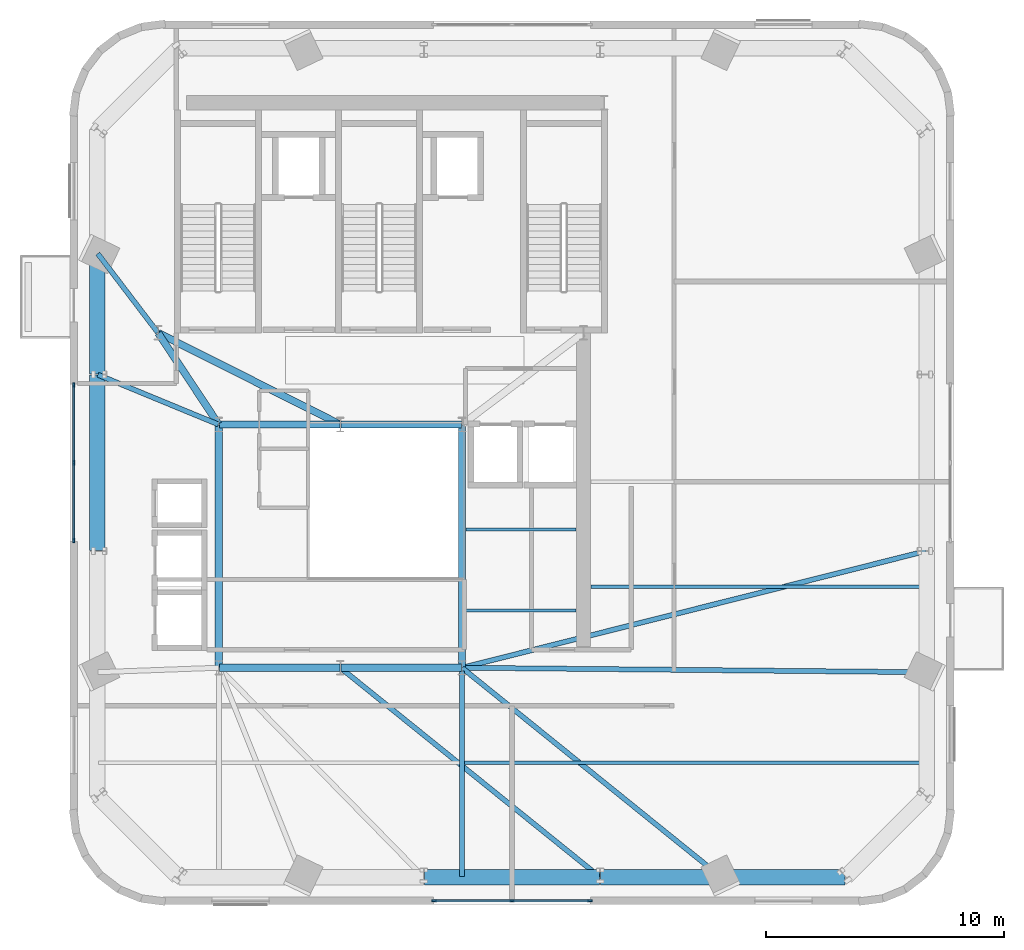
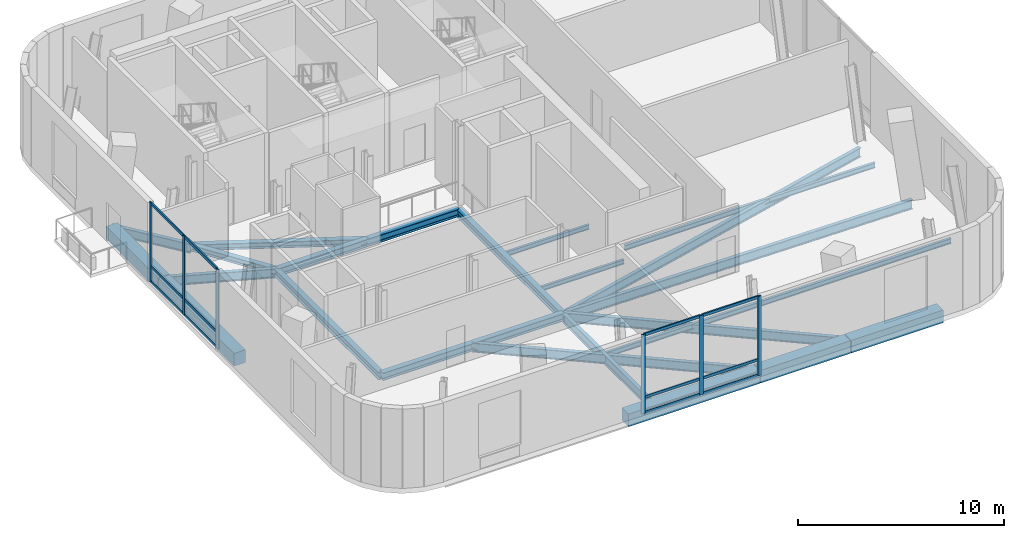
# One storey, part 2 of 10: 24 beams, 18 members, 2 elements without a shape of their own.
"""IFC4 building model written with IfcOpenShell, lengths in metres."""

import ifcopenshell
import ifcopenshell.guid

model = None  # the IFC model being written
_history = None  # IfcOwnerHistory: only IFC2X3 demands one
_inside = {}  # id of a spatial element -> (the spatial element, [elements in it])
_under = {}  # id of a project, library or spatial element -> (it, [spatial elements below it])
_declared = {}  # id of a project -> (the project, [libraries it declares])
_typed = {}  # id of a type object -> (the type object, [elements of that type])
_made_of = {}  # id of a material, layer set ... -> (it, [elements and type objects made of it])


def new_model(schema):
    """Start an empty IFC model of exactly this schema.

    Asked for "IFC4X3", IfcOpenShell would pick the latest addendum, in which some entities
    have other attributes; the version numbers below select the first issue.
    IFC2X3 requires an IfcOwnerHistory on every rooted entity: one is made here for all.
    """
    global model, _history
    if schema == "IFC4X3":
        model = ifcopenshell.file(schema_version=(4, 3, 0, 0))
    else:
        model = ifcopenshell.file(schema=schema)
    _inside.clear()
    _under.clear()
    _declared.clear()
    _typed.clear()
    _made_of.clear()
    _history = None
    if model.schema == "IFC2X3":
        org = make("IfcOrganization", Name="unknown")
        user = make(
            "IfcPersonAndOrganization",
            ThePerson=make("IfcPerson", FamilyName="unknown"),
            TheOrganization=org,
        )
        app = make(
            "IfcApplication",
            ApplicationDeveloper=org,
            Version="unknown",
            ApplicationFullName="unknown",
            ApplicationIdentifier="unknown",
        )
        _history = make(
            "IfcOwnerHistory",
            OwningUser=user,
            OwningApplication=app,
            ChangeAction="ADDED",
            CreationDate=0,
        )
    return model


def make(cls, **values):
    """One entity of the class cls with the attributes given. An attribute that is None is left unset."""
    return model.create_entity(
        cls, **{name: value for name, value in values.items() if value is not None}
    )


def rooted(cls, **values):
    """An entity with a GlobalId (a new one), such as an element, a storey or a relation."""
    return make(cls, GlobalId=ifcopenshell.guid.new(), OwnerHistory=_history, **values)


def si_unit(unit_type, name, prefix=None):
    """IfcSIUnit, for example si_unit("LENGTHUNIT", "METRE", prefix="MILLI")."""
    return make("IfcSIUnit", UnitType=unit_type, Prefix=prefix, Name=name)


def assignment(units):
    """IfcUnitAssignment: the units of a project."""
    return None if units is None else make("IfcUnitAssignment", Units=units)


def point(xyz):
    """IfcCartesianPoint."""
    return None if xyz is None else make("IfcCartesianPoint", Coordinates=xyz)


def direction(xyz):
    """IfcDirection."""
    return None if xyz is None else make("IfcDirection", DirectionRatios=xyz)


def frame(location, z_axis=None, x_axis=None):
    """IfcAxis2Placement3D, a coordinate frame: its origin and axes. An axis left out is left unset."""
    return make(
        "IfcAxis2Placement3D",
        Location=point(location),
        Axis=direction(z_axis),
        RefDirection=direction(x_axis),
    )


def frame_2d(location, x_axis=None):
    """IfcAxis2Placement2D, a coordinate frame in the plane: its origin and x axis."""
    return make(
        "IfcAxis2Placement2D", Location=point(location), RefDirection=direction(x_axis)
    )


def origin():
    """The frame at (0, 0, 0) with its axes left unset."""
    return frame((0.0, 0.0, 0.0))


def origin_2d():
    """The frame at (0, 0) in the plane with its x axis left unset."""
    return frame_2d((0.0, 0.0))


def place(relative_to, where):
    """IfcLocalPlacement: puts the frame where relative to a parent placement (None: the world)."""
    return make(
        "IfcLocalPlacement", PlacementRelTo=relative_to, RelativePlacement=where
    )


def context(
    kind, dimensions, precision=None, world=None, true_north=None, identifier=None
):
    """IfcGeometricRepresentationContext, for example the 3D "Model" context."""
    return make(
        "IfcGeometricRepresentationContext",
        ContextIdentifier=identifier,
        ContextType=kind,
        CoordinateSpaceDimension=dimensions,
        Precision=precision,
        WorldCoordinateSystem=world,
        TrueNorth=true_north,
    )


def subcontext(parent, identifier, kind, view, scale=None):
    """IfcGeometricRepresentationSubContext, for example "Body" below "Model"."""
    return make(
        "IfcGeometricRepresentationSubContext",
        ContextIdentifier=identifier,
        ContextType=kind,
        ParentContext=parent,
        TargetScale=scale,
        TargetView=view,
    )


def project(units=None, contexts=None):
    """IfcProject with its units and contexts."""
    return rooted(
        "IfcProject",
        Name="project",
        RepresentationContexts=contexts,
        UnitsInContext=assignment(units),
    )


def spatial(cls, under=None, at=None, **own):
    """A site, building, storey or space (cls), placed at a placement, below another one or the project."""
    s = rooted(cls, ObjectPlacement=at, **own)
    if under is not None:
        _under.setdefault(under.id(), (under, []))[1].append(s)
    return s


def profile(cls, at=None, kind="AREA", **sizes):
    """A parametric profile (cls). Its sizes go by their IFC names, for example OverallWidth=200.0."""
    return make(cls, ProfileType=kind, Position=at, **sizes)


def rectangle(**sizes):
    """IfcRectangleProfileDef."""
    return profile("IfcRectangleProfileDef", **sizes)


def i_section(**sizes):
    """IfcIShapeProfileDef."""
    return profile("IfcIShapeProfileDef", **sizes)


def extrude(swept, where, along, depth):
    """IfcExtrudedAreaSolid: the profile swept, set in the frame where, extruded along a direction by depth."""
    return make(
        "IfcExtrudedAreaSolid",
        SweptArea=swept,
        Position=where,
        ExtrudedDirection=direction(along),
        Depth=depth,
    )


def shape(context_of_items, identifier, shape_type, items):
    """IfcShapeRepresentation: the items that make up one representation, for example the "Body"."""
    return make(
        "IfcShapeRepresentation",
        ContextOfItems=context_of_items,
        RepresentationIdentifier=identifier,
        RepresentationType=shape_type,
        Items=items,
    )


def source(mapping_origin, context_of_items, identifier, shape_type, items):
    """IfcRepresentationMap: a shape defined once, which mapped items show again and again."""
    return make(
        "IfcRepresentationMap",
        MappingOrigin=mapping_origin,
        MappedRepresentation=shape(context_of_items, identifier, shape_type, items),
    )


def transform(
    local_origin,
    x_axis=None,
    y_axis=None,
    z_axis=None,
    scale=None,
    scale2=None,
    scale3=None,
    uniform=True,
):
    """IfcCartesianTransformationOperator3D, or its non-uniform kind. x_axis, y_axis, z_axis: its Axis1, 2, 3."""
    if uniform:
        return make(
            "IfcCartesianTransformationOperator3D",
            Axis1=direction(x_axis),
            Axis2=direction(y_axis),
            LocalOrigin=point(local_origin),
            Scale=scale,
            Axis3=direction(z_axis),
        )
    return make(
        "IfcCartesianTransformationOperator3DnonUniform",
        Axis1=direction(x_axis),
        Axis2=direction(y_axis),
        LocalOrigin=point(local_origin),
        Scale=scale,
        Axis3=direction(z_axis),
        Scale2=scale2,
        Scale3=scale3,
    )


def mapped(mapping_source, mapping_target):
    """IfcMappedItem: shows the shape of a source again, moved by a transform."""
    return make(
        "IfcMappedItem", MappingSource=mapping_source, MappingTarget=mapping_target
    )


def material(Name=None, Category=None):
    """IfcMaterial."""
    return make("IfcMaterial", Name=Name, Category=Category)


def material_profile(
    of_material, cross_section, Name=None, Category=None, Priority=None
):
    """IfcMaterialProfile: a cross section and its material."""
    return make(
        "IfcMaterialProfile",
        Name=Name,
        Material=of_material,
        Profile=cross_section,
        Priority=Priority,
        Category=Category,
    )


def profile_set(profiles, Name=None, composite=None):
    """IfcMaterialProfileSet."""
    return make(
        "IfcMaterialProfileSet",
        Name=Name,
        MaterialProfiles=profiles,
        CompositeProfile=composite,
    )


def made_of(thing, what):
    """Note that an element or type object is made of a material, layer set ...; save() writes the relation."""
    if what is not None:
        _made_of.setdefault(what.id(), (what, []))[1].append(thing)
    return thing


def type_object(cls, material=None, **own):
    """A type object (cls), such as IfcWallType, which elements share."""
    return made_of(rooted(cls, **own), material)


def element(
    cls,
    number,
    at=None,
    inside=None,
    cuts=None,
    type_object=None,
    material=None,
    context=None,
    identifier="Body",
    shape_type=None,
    held_by="IfcProductDefinitionShape",
    body=None,
    shapes=None,
    **own,
):
    """One element of the class cls, such as IfcWall. Its Tag is "e" and its number.

    at: its placement. inside: the storey or other place that contains it. cuts: it is an
    opening in that element (IfcRelVoidsElement). A single representation is given by context,
    identifier, shape_type and body (its items); several are given by shapes. held_by: the class
    of the entity that holds the representations. save() writes the other relations.
    """
    e = rooted(cls, Tag="e%d" % number, ObjectPlacement=at, **own)
    if body is not None:
        shapes = [shape(context, identifier, shape_type, body)]
    if shapes is not None:
        e.Representation = make(held_by, Representations=shapes)
    if inside is not None:
        _inside.setdefault(inside.id(), (inside, []))[1].append(e)
    if cuts is not None:
        rooted(
            "IfcRelVoidsElement", RelatingBuildingElement=cuts, RelatedOpeningElement=e
        )
    if type_object is not None:
        _typed.setdefault(type_object.id(), (type_object, []))[1].append(e)
    return made_of(e, material)


def aggregate(whole, parts):
    """IfcRelAggregates: a whole, such as a stair, and the parts it consists of."""
    return rooted("IfcRelAggregates", RelatingObject=whole, RelatedObjects=parts)


def save(model, path):
    """Write the relations noted so far, then the file.

    IfcRelAggregates (storeys below a building ...), IfcRelContainedInSpatialStructure (elements
    in a storey), IfcRelDefinesByType, IfcRelAssociatesMaterial and IfcRelDeclares: one each for
    every whole, place, type object, material and project.
    """
    for whole, parts in _under.values():
        aggregate(whole, parts)
    for where, things in _inside.values():
        rooted(
            "IfcRelContainedInSpatialStructure",
            RelatedElements=things,
            RelatingStructure=where,
        )
    for kind, things in _typed.values():
        rooted("IfcRelDefinesByType", RelatedObjects=things, RelatingType=kind)
    for what, things in _made_of.values():
        rooted("IfcRelAssociatesMaterial", RelatedObjects=things, RelatingMaterial=what)
    for by, libraries in _declared.values():
        rooted("IfcRelDeclares", RelatingContext=by, RelatedDefinitions=libraries)
    model.write(path)


model = new_model("IFC4")

# Units and contexts
model_context = context("Model", 3, precision=1e-05, world=origin(), true_north=direction((0.0, 1.0)))
body_context = subcontext(model_context, "Body", "Model", "MODEL_VIEW")
ifc_project = project(units=[si_unit("LENGTHUNIT", "METRE"), si_unit("AREAUNIT", "SQUARE_METRE"), si_unit("VOLUMEUNIT", "CUBIC_METRE"), si_unit("PLANEANGLEUNIT", "RADIAN"), si_unit("MASSUNIT", "GRAM", prefix="KILO")], contexts=[model_context])

# Site, building, storey
site_placement = place(None, origin())
site = spatial("IfcSite", under=ifc_project, at=site_placement, CompositionType="ELEMENT")
building_placement = place(site_placement, origin())
building = spatial("IfcBuilding", under=site, at=building_placement, Name="Vardaveli Station Tower", CompositionType="ELEMENT")
storey_placement = place(building_placement, frame((0.0, 0.0, 291.14990234375)))
storey = spatial("IfcBuildingStorey", under=building, at=storey_placement, Name="L74", CompositionType="ELEMENT", Elevation=291.14990234375)

# Beams
ifc_material_1 = material(Name="Structural steel S355J2", Category="steel")
ifc_material_profile_1 = material_profile(ifc_material_1, i_section(OverallWidth=0.300048828125, OverallDepth=0.449951171875, WebThickness=0.013916015625, FlangeThickness=0.02587890625, FilletRadius=0.027099609375, at=origin_2d()), Name="HEB 450")
ifc_profile_set_1 = profile_set([ifc_material_profile_1], Name="Structural steel S355J2")
beam_type_1 = type_object("IfcBeamType", Name="BM-HEB450", PredefinedType="BEAM", material=ifc_profile_set_1)
shared_shape_1 = source(origin(), body_context, "Body", "SweptSolid", [
    extrude(i_section(OverallWidth=0.300048828125, OverallDepth=0.449951171875, WebThickness=0.013916015625, FlangeThickness=0.02587890625, FilletRadius=0.027099609375, at=origin_2d()), origin(), (0.0, 0.0, 1.0), 5.06005859375),
])
for number, where, z_axis, x_axis, name in (
    (1, (31.219970703125, 16.60009765625, -0.52490234375), (1.0, 0.0, 0.0), (0.0, 1.0, 0.0), "ABM-L74-01"),
    (2, (36.280029296875, 26.800048828125, -0.52490234375), (-1.0, 0.0, 0.0), (0.0, -1.0, 0.0), "ABM-L74-05"),
):
    element("IfcBeam", number, at=place(storey_placement, frame(where, z_axis=z_axis, x_axis=x_axis)), inside=storey, type_object=beam_type_1, Name=name, PredefinedType="BEAM", context=body_context, shape_type="MappedRepresentation", body=[
        mapped(shared_shape_1, transform((0.0, 0.0, 0.0), scale=1.0)),
    ])
shared_shape_2 = source(origin(), body_context, "Body", "SweptSolid", [
    extrude(i_section(OverallWidth=0.300048828125, OverallDepth=0.449951171875, WebThickness=0.013916015625, FlangeThickness=0.02587890625, FilletRadius=0.027099609375, at=origin_2d()), origin(), (0.0, 0.0, 1.0), 5.059814453125),
])
for number, where, z_axis, x_axis, name in (
    (3, (36.320068359375, 16.60009765625, -0.52490234375), (1.0, 0.0, 0.0), (0.0, 1.0, 0.0), "ABM-L74-02"),
    (4, (41.3798828125, 26.800048828125, -0.52490234375), (-1.0, 0.0, 0.0), (0.0, -1.0, 0.0), "ABM-L74-04"),
):
    element("IfcBeam", number, at=place(storey_placement, frame(where, z_axis=z_axis, x_axis=x_axis)), inside=storey, type_object=beam_type_1, Name=name, PredefinedType="BEAM", context=body_context, shape_type="MappedRepresentation", body=[
        mapped(shared_shape_2, transform((0.0, 0.0, 0.0), scale=1.0)),
    ])
shared_shape_3 = source(origin(), body_context, "Body", "SweptSolid", [
    extrude(i_section(OverallWidth=0.300048828125, OverallDepth=0.449951171875, WebThickness=0.013916015625, FlangeThickness=0.02587890625, FilletRadius=0.027099609375, at=origin_2d()), origin(), (0.0, 0.0, 1.0), 10.159912109375),
])
for number, where, z_axis, x_axis, name in (
    (5, (41.39990234375, 16.6201171875, -0.52490234375), (0.0, 1.0, 0.0), (-1.0, 0.0, 0.0), "ABM-L74-03"),
    (6, (31.199951171875, 26.780029296875, -0.52490234375), (0.0, -1.0, 0.0), (1.0, 0.0, 0.0), "ABM-L74-06"),
):
    element("IfcBeam", number, at=place(storey_placement, frame(where, z_axis=z_axis, x_axis=x_axis)), inside=storey, type_object=beam_type_1, Name=name, PredefinedType="BEAM", context=body_context, shape_type="MappedRepresentation", body=[
        mapped(shared_shape_3, transform((0.0, 0.0, 0.0), scale=1.0)),
    ])
ifc_material_profile_2 = material_profile(ifc_material_1, i_section(OverallWidth=0.300048828125, OverallDepth=0.360107421875, WebThickness=0.012451171875, FlangeThickness=0.0224609375, FilletRadius=0.027099609375, at=origin_2d()), Name="HEB 360")
ifc_profile_set_2 = profile_set([ifc_material_profile_2], Name="Structural steel S355J2")
beam_type_2 = type_object("IfcBeamType", Name="BM-HEB360", PredefinedType="BEAM", material=ifc_profile_set_2)
shared_shape_4 = source(origin(), body_context, "Body", "SweptSolid", [
    extrude(i_section(OverallWidth=0.300048828125, OverallDepth=0.360107421875, WebThickness=0.012451171875, FlangeThickness=0.0224609375, FilletRadius=0.027099609375, at=origin_2d()), origin(), (0.0, 0.0, 1.0), 4.577880859375),
])
beam_1_placement = place(storey_placement, frame((31.18896484375, 26.816650390625, -0.47998046875), z_axis=(-0.55218702139, 0.833720272879, 0.0), x_axis=(-0.833720272879, -0.55218702139, 0.0)))
element("IfcBeam", 7, at=beam_1_placement, inside=storey, type_object=beam_type_2, Name="CBM-L74-01", PredefinedType="BEAM", context=body_context, shape_type="MappedRepresentation", body=[
    mapped(shared_shape_4, transform((0.0, 0.0, 0.0), scale=1.0)),
])
shared_shape_5 = source(origin(), body_context, "Body", "SweptSolid", [
    extrude(i_section(OverallWidth=0.300048828125, OverallDepth=0.360107421875, WebThickness=0.012451171875, FlangeThickness=0.0224609375, FilletRadius=0.027099609375, at=origin_2d()), origin(), (0.0, 0.0, 1.0), 8.524169921875),
])
beam_2_placement = place(storey_placement, frame((28.66796875, 30.64111328125, -0.47998046875), z_axis=(0.893255584708, -0.449549174605, 0.0), x_axis=(0.449549174605, 0.893255584708, 0.0)))
element("IfcBeam", 8, at=beam_2_placement, inside=storey, type_object=beam_type_2, Name="CBM-L74-03", PredefinedType="BEAM", context=body_context, shape_type="MappedRepresentation", body=[
    mapped(shared_shape_5, transform((0.0, 0.0, 0.0), scale=1.0)),
])
ifc_material_2 = material(Name="Precast concrete C45/55", Category="concrete")
ifc_material_profile_3 = material_profile(ifc_material_2, rectangle(XDim=0.64990234375, YDim=0.75, at=origin_2d()), Name="LPB 650x750")
ifc_profile_set_3 = profile_set([ifc_material_profile_3], Name="Precast concrete C45/55")
beam_type_3 = type_object("IfcBeamType", Name="BM-LPB-750", PredefinedType="BEAM", material=ifc_profile_set_3)
shared_shape_6 = source(origin(), body_context, "Body", "SweptSolid", [
    extrude(rectangle(XDim=0.64990234375, YDim=0.75, at=origin_2d()), origin(), (0.0, 0.0, 1.0), 7.35986328125),
])
for number, where, z_axis, x_axis, name in (
    (9, (39.820068359375, 7.81005859375, -0.6748046875), (1.0, 0.0, 0.0), (0.0, 1.0, 0.0), "RBM-L74-02"),
    (10, (26.110107421875, 28.8798828125, -0.6748046875), (0.0, -1.0, 0.0), (1.0, 0.0, 0.0), "RBM-L74-20"),
):
    element("IfcBeam", number, at=place(storey_placement, frame(where, z_axis=z_axis, x_axis=x_axis)), inside=storey, type_object=beam_type_3, Name=name, PredefinedType="BEAM", context=body_context, shape_type="MappedRepresentation", body=[
        mapped(shared_shape_6, transform((0.0, 0.0, 0.0), scale=1.0)),
    ])
shared_shape_7 = source(origin(), body_context, "Body", "SweptSolid", [
    extrude(rectangle(XDim=0.64990234375, YDim=0.75, at=origin_2d()), origin(), (0.0, 0.0, 1.0), 5.04833984375),
])
for number, where, z_axis, x_axis, name in (
    (11, (47.219970703125, 7.81005859375, -0.6748046875), (1.0, 0.0, 0.0), (0.0, 1.0, 0.0), "RBM-L74-03"),
    (12, (26.110107421875, 33.96826171875, -0.6748046875), (0.0, -1.0, 0.0), (1.0, 0.0, 0.0), "RBM-L74-19"),
):
    element("IfcBeam", number, at=place(storey_placement, frame(where, z_axis=z_axis, x_axis=x_axis)), inside=storey, type_object=beam_type_3, Name=name, PredefinedType="BEAM", context=body_context, shape_type="MappedRepresentation", body=[
        mapped(shared_shape_7, transform((0.0, 0.0, 0.0), scale=1.0)),
    ])
shared_shape_8 = source(origin(), body_context, "Body", "SweptSolid", [
    extrude(rectangle(XDim=0.64990234375, YDim=0.75, at=origin_2d()), origin(), (0.0, 0.0, 1.0), 5.1689453125),
])
beam_3_placement = place(storey_placement, frame((52.30810546875, 7.81005859375, -0.6748046875), z_axis=(1.0, 0.0, 0.0), x_axis=(0.0, 1.0, 0.0)))
element("IfcBeam", 13, at=beam_3_placement, inside=storey, type_object=beam_type_3, Name="RBM-L74-04", PredefinedType="BEAM", context=body_context, shape_type="MappedRepresentation", body=[
    mapped(shared_shape_8, transform((0.0, 0.0, 0.0), scale=1.0)),
])
ifc_material_profile_4 = material_profile(ifc_material_1, i_section(OverallWidth=0.2099609375, OverallDepth=0.550048828125, WebThickness=0.010986328125, FlangeThickness=0.01708984375, FilletRadius=0.02392578125, at=origin_2d()), Name="IPE 550")
ifc_profile_set_4 = profile_set([ifc_material_profile_4], Name="Structural steel S355J2")
beam_type_4 = type_object("IfcBeamType", Name="BM-IPE550", PredefinedType="BEAM", material=ifc_profile_set_4)
shared_shape_9 = source(origin(), body_context, "Body", "SweptSolid", [
    extrude(i_section(OverallWidth=0.2099609375, OverallDepth=0.550048828125, WebThickness=0.010986328125, FlangeThickness=0.01708984375, FilletRadius=0.02392578125, at=origin_2d()), origin(), (0.0, 0.0, 1.0), 13.96240234375),
])
beam_4_placement = place(storey_placement, frame((47.184326171875, 7.822509765625, -0.574951171875), z_axis=(-0.77841827627, 0.627745957509, 0.0), x_axis=(-0.627745957509, -0.77841827627, 0.0)))
element("IfcBeam", 14, at=beam_4_placement, inside=storey, type_object=beam_type_4, Name="GBM-L74-03", PredefinedType="BEAM", context=body_context, shape_type="MappedRepresentation", body=[
    mapped(shared_shape_9, transform((0.0, 0.0, 0.0), scale=1.0)),
])
shared_shape_10 = source(origin(), body_context, "Body", "SweptSolid", [
    extrude(i_section(OverallWidth=0.2099609375, OverallDepth=0.550048828125, WebThickness=0.010986328125, FlangeThickness=0.01708984375, FilletRadius=0.02392578125, at=origin_2d()), origin(), (0.0, 0.0, 1.0), 13.95361328125),
])
beam_5_placement = place(storey_placement, frame((52.272705078125, 7.822509765625, -0.574951171875), z_axis=(-0.778094115898, 0.628147710977, 0.0), x_axis=(-0.628147710977, -0.778094115898, 0.0)))
element("IfcBeam", 15, at=beam_5_placement, inside=storey, type_object=beam_type_4, Name="GBM-L74-04", PredefinedType="BEAM", context=body_context, shape_type="MappedRepresentation", body=[
    mapped(shared_shape_10, transform((0.0, 0.0, 0.0), scale=1.0)),
])
shared_shape_11 = source(origin(), body_context, "Body", "SweptSolid", [
    extrude(i_section(OverallWidth=0.2099609375, OverallDepth=0.550048828125, WebThickness=0.010986328125, FlangeThickness=0.01708984375, FilletRadius=0.02392578125, at=origin_2d()), origin(), (0.0, 0.0, 1.0), 19.451171875),
])
beam_6_placement = place(storey_placement, frame((60.8701171875, 16.412109375, -0.574951171875), z_axis=(-0.999953417316, 0.009652108474, 0.0), x_axis=(-0.009652108474, -0.999953417316, 0.0)))
element("IfcBeam", 16, at=beam_6_placement, inside=storey, type_object=beam_type_4, Name="GBM-L74-05", PredefinedType="BEAM", context=body_context, shape_type="MappedRepresentation", body=[
    mapped(shared_shape_11, transform((0.0, 0.0, 0.0), scale=1.0)),
])
shared_shape_12 = source(origin(), body_context, "Body", "SweptSolid", [
    extrude(i_section(OverallWidth=0.2099609375, OverallDepth=0.550048828125, WebThickness=0.010986328125, FlangeThickness=0.01708984375, FilletRadius=0.02392578125, at=origin_2d()), origin(), (0.0, 0.0, 1.0), 20.056396484375),
])
beam_7_placement = place(storey_placement, frame((60.87060546875, 21.4951171875, -0.574951171875), z_axis=(-0.969820865958, -0.243818555391, 0.0), x_axis=(0.243818555391, -0.969820865958, 0.0)))
element("IfcBeam", 17, at=beam_7_placement, inside=storey, type_object=beam_type_4, Name="GBM-L74-06", PredefinedType="BEAM", context=body_context, shape_type="MappedRepresentation", body=[
    mapped(shared_shape_12, transform((0.0, 0.0, 0.0), scale=1.0)),
])
shared_shape_13 = source(origin(), body_context, "Body", "SweptSolid", [
    extrude(i_section(OverallWidth=0.2099609375, OverallDepth=0.550048828125, WebThickness=0.010986328125, FlangeThickness=0.01708984375, FilletRadius=0.02392578125, at=origin_2d()), origin(), (0.0, 0.0, 1.0), 5.466064453125),
])
beam_8_placement = place(storey_placement, frame((26.12841796875, 28.892333984375, -0.574951171875), z_axis=(0.924415178823, -0.381387699279, 0.0), x_axis=(0.381387699279, 0.924415178823, 0.0)))
element("IfcBeam", 18, at=beam_8_placement, inside=storey, type_object=beam_type_4, Name="GBM-L74-08", PredefinedType="BEAM", context=body_context, shape_type="MappedRepresentation", body=[
    mapped(shared_shape_13, transform((0.0, 0.0, 0.0), scale=1.0)),
])
shared_shape_14 = source(origin(), body_context, "Body", "SweptSolid", [
    extrude(i_section(OverallWidth=0.2099609375, OverallDepth=0.550048828125, WebThickness=0.010986328125, FlangeThickness=0.01708984375, FilletRadius=0.02392578125, at=origin_2d()), origin(), (0.0, 0.0, 1.0), 4.154541015625),
])
beam_9_placement = place(storey_placement, frame((26.1220703125, 33.97216796875, -0.574951171875), z_axis=(0.605570376885, -0.795791755825, 0.0), x_axis=(0.795791755825, 0.605570376885, 0.0)))
element("IfcBeam", 19, at=beam_9_placement, inside=storey, type_object=beam_type_4, Name="GBM-L74-12", PredefinedType="BEAM", context=body_context, shape_type="MappedRepresentation", body=[
    mapped(shared_shape_14, transform((0.0, 0.0, 0.0), scale=1.0)),
])
shared_shape_15 = source(origin(), body_context, "Body", "SweptSolid", [
    extrude(i_section(OverallWidth=0.2099609375, OverallDepth=0.550048828125, WebThickness=0.010986328125, FlangeThickness=0.01708984375, FilletRadius=0.02392578125, at=origin_2d()), origin(), (0.0, 0.0, 1.0), 8.60986328125),
])
beam_10_placement = place(storey_placement, frame((41.39990234375, 7.85009765625, -0.574951171875), z_axis=(0.0, 1.0, 0.0), x_axis=(-1.0, 0.0, 0.0)))
element("IfcBeam", 20, at=beam_10_placement, inside=storey, type_object=beam_type_4, Name="NSM-L74-S2", PredefinedType="BEAM", context=body_context, shape_type="MappedRepresentation", body=[
    mapped(shared_shape_15, transform((0.0, 0.0, 0.0), scale=1.0)),
])
ifc_material_profile_5 = material_profile(ifc_material_1, i_section(OverallWidth=0.14990234375, OverallDepth=0.300048828125, WebThickness=0.007080078125, FlangeThickness=0.0107421875, FilletRadius=0.014892578125, at=origin_2d()), Name="IPE 300")
ifc_profile_set_5 = profile_set([ifc_material_profile_5], Name="Structural steel S355J2")
beam_type_5 = type_object("IfcBeamType", Name="BM-IPE300", PredefinedType="JOIST", material=ifc_profile_set_5)
shared_shape_16 = source(origin(), body_context, "Body", "SweptSolid", [
    extrude(i_section(OverallWidth=0.14990234375, OverallDepth=0.300048828125, WebThickness=0.007080078125, FlangeThickness=0.0107421875, FilletRadius=0.014892578125, at=origin_2d()), origin(), (0.0, 0.0, 1.0), 19.338134765625),
])
beam_11_placement = place(storey_placement, frame((41.511962890625, 12.610107421875, -0.449951171875), z_axis=(1.0, 0.0, 0.0), x_axis=(0.0, 1.0, 0.0)))
element("IfcBeam", 21, at=beam_11_placement, inside=storey, type_object=beam_type_5, Name="SJ-L74-S03", PredefinedType="JOIST", context=body_context, shape_type="MappedRepresentation", body=[
    mapped(shared_shape_16, transform((0.0, 0.0, 0.0), scale=1.0)),
])
shared_shape_17 = source(origin(), body_context, "Body", "SweptSolid", [
    extrude(i_section(OverallWidth=0.14990234375, OverallDepth=0.300048828125, WebThickness=0.007080078125, FlangeThickness=0.0107421875, FilletRadius=0.014892578125, at=origin_2d()), origin(), (0.0, 0.0, 1.0), 14.045166015625),
])
beam_12_placement = place(storey_placement, frame((46.804931640625, 20.0, -0.449951171875), z_axis=(1.0, 0.0, 0.0), x_axis=(0.0, 1.0, 0.0)))
element("IfcBeam", 22, at=beam_12_placement, inside=storey, type_object=beam_type_5, Name="SJ-L74-E06", PredefinedType="JOIST", context=body_context, shape_type="MappedRepresentation", body=[
    mapped(shared_shape_17, transform((0.0, 0.0, 0.0), scale=1.0)),
])
ifc_material_profile_6 = material_profile(ifc_material_1, i_section(OverallWidth=0.135009765625, OverallDepth=0.27001953125, WebThickness=0.006591796875, FlangeThickness=0.01025390625, FilletRadius=0.014892578125, at=origin_2d()), Name="IPE 270")
ifc_profile_set_6 = profile_set([ifc_material_profile_6], Name="Structural steel S355J2")
beam_type_6 = type_object("IfcBeamType", Name="BM-IPE270", PredefinedType="BEAM", material=ifc_profile_set_6)
shared_shape_18 = source(origin(), body_context, "Body", "SweptSolid", [
    extrude(i_section(OverallWidth=0.135009765625, OverallDepth=0.27001953125, WebThickness=0.006591796875, FlangeThickness=0.01025390625, FilletRadius=0.014892578125, at=origin_2d()), origin(), (0.0, 0.0, 1.0), 4.630126953125),
])
for number, where, z_axis, x_axis, name in (
    (23, (41.56494140625, 19.0, -0.434814453125), (1.0, 0.0, 0.0), (0.0, 1.0, 0.0), "TJ-L74-01"),
    (24, (41.56494140625, 22.39990234375, -0.434814453125), (1.0, 0.0, 0.0), (0.0, 1.0, 0.0), "TJ-L74-02"),
):
    element("IfcBeam", number, at=place(storey_placement, frame(where, z_axis=z_axis, x_axis=x_axis)), inside=storey, type_object=beam_type_6, Name=name, PredefinedType="BEAM", context=body_context, shape_type="MappedRepresentation", body=[
        mapped(shared_shape_18, transform((0.0, 0.0, 0.0), scale=1.0)),
    ])

# Curtain wall, members
ifc_material_3 = material(Name="Travertine stone and solar-control glass", Category="masonry")
curtain_wall_type = type_object("IfcCurtainWallType", Name="CW-SYS-5", PredefinedType="NOTDEFINED", material=ifc_material_3)
curtain_wall_1_placement = place(storey_placement, origin())
curtain_wall_1 = element("IfcCurtainWall", 25, at=curtain_wall_1_placement, inside=storey, type_object=curtain_wall_type, Name="CW-L74-S", PredefinedType="NOTDEFINED")
ifc_material_4 = material(Name="Anodised aluminium alloy 6063-T6", Category="aluminium")
ifc_material_profile_7 = material_profile(ifc_material_4, rectangle(XDim=0.080078125, YDim=0.1650390625, at=origin_2d()), Name="CWT 80x165")
ifc_profile_set_7 = profile_set([ifc_material_profile_7], Name="Anodised aluminium alloy 6063-T6")
member_type_1 = type_object("IfcMemberType", Name="CW-SYS-5-TRAN", PredefinedType="NOTDEFINED", material=ifc_profile_set_7)
shared_shape_19 = source(origin(), body_context, "Body", "SweptSolid", [
    extrude(rectangle(XDim=0.080078125, YDim=0.1650390625, at=origin_2d()), origin(), (0.0, 0.0, 1.0), 3.179931640625),
])
member_1_placement = place(storey_placement, frame((40.280029296875, 6.820068359375, 0.0400390625), z_axis=(1.0, 0.0, 0.0), x_axis=(0.0, 1.0, 0.0)))
member_1 = element("IfcMember", 26, at=member_1_placement, type_object=member_type_1, Name="CW-5 transom 1.1", ObjectType="TRANSOM", PredefinedType="USERDEFINED", context=body_context, shape_type="MappedRepresentation", body=[
    mapped(shared_shape_19, transform((0.0, 0.0, 0.0), scale=1.0)),
])
member_2_placement = place(storey_placement, frame((40.280029296875, 6.820068359375, 0.9501953125), z_axis=(1.0, 0.0, 0.0), x_axis=(0.0, 1.0, 0.0)))
member_2 = element("IfcMember", 27, at=member_2_placement, type_object=member_type_1, Name="CW-5 transom 1.2", ObjectType="TRANSOM", PredefinedType="USERDEFINED", context=body_context, shape_type="MappedRepresentation", body=[
    mapped(shared_shape_19, transform((0.0, 0.0, 0.0), scale=1.0)),
])
member_3_placement = place(storey_placement, frame((40.280029296875, 6.820068359375, 4.66015625), z_axis=(1.0, 0.0, 0.0), x_axis=(0.0, 1.0, 0.0)))
member_3 = element("IfcMember", 28, at=member_3_placement, type_object=member_type_1, Name="CW-5 transom 1.3", ObjectType="TRANSOM", PredefinedType="USERDEFINED", context=body_context, shape_type="MappedRepresentation", body=[
    mapped(shared_shape_19, transform((0.0, 0.0, 0.0), scale=1.0)),
])
member_4_placement = place(storey_placement, frame((43.5400390625, 6.820068359375, 0.0400390625), z_axis=(1.0, 0.0, 0.0), x_axis=(0.0, 1.0, 0.0)))
member_4 = element("IfcMember", 29, at=member_4_placement, type_object=member_type_1, Name="CW-5 transom 2.1", ObjectType="TRANSOM", PredefinedType="USERDEFINED", context=body_context, shape_type="MappedRepresentation", body=[
    mapped(shared_shape_19, transform((0.0, 0.0, 0.0), scale=1.0)),
])
member_5_placement = place(storey_placement, frame((43.5400390625, 6.820068359375, 0.9501953125), z_axis=(1.0, 0.0, 0.0), x_axis=(0.0, 1.0, 0.0)))
member_5 = element("IfcMember", 30, at=member_5_placement, type_object=member_type_1, Name="CW-5 transom 2.2", ObjectType="TRANSOM", PredefinedType="USERDEFINED", context=body_context, shape_type="MappedRepresentation", body=[
    mapped(shared_shape_19, transform((0.0, 0.0, 0.0), scale=1.0)),
])
member_6_placement = place(storey_placement, frame((43.5400390625, 6.820068359375, 4.66015625), z_axis=(1.0, 0.0, 0.0), x_axis=(0.0, 1.0, 0.0)))
member_6 = element("IfcMember", 31, at=member_6_placement, type_object=member_type_1, Name="CW-5 transom 2.3", ObjectType="TRANSOM", PredefinedType="USERDEFINED", context=body_context, shape_type="MappedRepresentation", body=[
    mapped(shared_shape_19, transform((0.0, 0.0, 0.0), scale=1.0)),
])

curtain_wall_2_placement = place(storey_placement, origin())
curtain_wall_2 = element("IfcCurtainWall", 32, at=curtain_wall_2_placement, inside=storey, type_object=curtain_wall_type, Name="CW-L74-W", PredefinedType="NOTDEFINED")
member_7_placement = place(storey_placement, frame((25.1201171875, 28.419921875, 0.0400390625), z_axis=(0.0, -1.0, 0.0), x_axis=(1.0, 0.0, 0.0)))
member_7 = element("IfcMember", 33, at=member_7_placement, type_object=member_type_1, Name="CW-5 transom 1.1", ObjectType="TRANSOM", PredefinedType="USERDEFINED", context=body_context, shape_type="MappedRepresentation", body=[
    mapped(shared_shape_19, transform((0.0, 0.0, 0.0), scale=1.0)),
])
member_8_placement = place(storey_placement, frame((25.1201171875, 28.419921875, 0.9501953125), z_axis=(0.0, -1.0, 0.0), x_axis=(1.0, 0.0, 0.0)))
member_8 = element("IfcMember", 34, at=member_8_placement, type_object=member_type_1, Name="CW-5 transom 1.2", ObjectType="TRANSOM", PredefinedType="USERDEFINED", context=body_context, shape_type="MappedRepresentation", body=[
    mapped(shared_shape_19, transform((0.0, 0.0, 0.0), scale=1.0)),
])
member_9_placement = place(storey_placement, frame((25.1201171875, 28.419921875, 4.66015625), z_axis=(0.0, -1.0, 0.0), x_axis=(1.0, 0.0, 0.0)))
member_9 = element("IfcMember", 35, at=member_9_placement, type_object=member_type_1, Name="CW-5 transom 1.3", ObjectType="TRANSOM", PredefinedType="USERDEFINED", context=body_context, shape_type="MappedRepresentation", body=[
    mapped(shared_shape_19, transform((0.0, 0.0, 0.0), scale=1.0)),
])
member_10_placement = place(storey_placement, frame((25.1201171875, 25.159912109375, 0.0400390625), z_axis=(0.0, -1.0, 0.0), x_axis=(1.0, 0.0, 0.0)))
member_10 = element("IfcMember", 36, at=member_10_placement, type_object=member_type_1, Name="CW-5 transom 2.1", ObjectType="TRANSOM", PredefinedType="USERDEFINED", context=body_context, shape_type="MappedRepresentation", body=[
    mapped(shared_shape_19, transform((0.0, 0.0, 0.0), scale=1.0)),
])
member_11_placement = place(storey_placement, frame((25.1201171875, 25.159912109375, 0.9501953125), z_axis=(0.0, -1.0, 0.0), x_axis=(1.0, 0.0, 0.0)))
member_11 = element("IfcMember", 37, at=member_11_placement, type_object=member_type_1, Name="CW-5 transom 2.2", ObjectType="TRANSOM", PredefinedType="USERDEFINED", context=body_context, shape_type="MappedRepresentation", body=[
    mapped(shared_shape_19, transform((0.0, 0.0, 0.0), scale=1.0)),
])
member_12_placement = place(storey_placement, frame((25.1201171875, 25.159912109375, 4.66015625), z_axis=(0.0, -1.0, 0.0), x_axis=(1.0, 0.0, 0.0)))
member_12 = element("IfcMember", 38, at=member_12_placement, type_object=member_type_1, Name="CW-5 transom 2.3", ObjectType="TRANSOM", PredefinedType="USERDEFINED", context=body_context, shape_type="MappedRepresentation", body=[
    mapped(shared_shape_19, transform((0.0, 0.0, 0.0), scale=1.0)),
])

# Member
ifc_material_profile_8 = material_profile(ifc_material_4, rectangle(XDim=0.080078125, YDim=0.205078125, at=origin_2d()), Name="CWM 80x205")
ifc_profile_set_8 = profile_set([ifc_material_profile_8], Name="Anodised aluminium alloy 6063-T6")
member_type_2 = type_object("IfcMemberType", Name="CW-SYS-5-MULL", PredefinedType="MULLION", material=ifc_profile_set_8)
shared_shape_20 = source(origin(), body_context, "Body", "SweptSolid", [
    extrude(rectangle(XDim=0.080078125, YDim=0.205078125, at=origin_2d()), origin(), (0.0, 0.0, 1.0), 4.7001953125),
])
member_13_placement = place(storey_placement, frame((40.239990234375, 6.820068359375, 0.0), z_axis=(0.0, 0.0, 1.0), x_axis=(0.0, 1.0, 0.0)))
member_13 = element("IfcMember", 39, at=member_13_placement, type_object=member_type_2, Name="CW-5 mullion 1", PredefinedType="MULLION", context=body_context, shape_type="MappedRepresentation", body=[
    mapped(shared_shape_20, transform((0.0, 0.0, 0.0), scale=1.0)),
])

member_14_placement = place(storey_placement, frame((43.5, 6.820068359375, 0.0), z_axis=(0.0, 0.0, 1.0), x_axis=(0.0, 1.0, 0.0)))
member_14 = element("IfcMember", 40, at=member_14_placement, type_object=member_type_2, Name="CW-5 mullion 2", PredefinedType="MULLION", context=body_context, shape_type="MappedRepresentation", body=[
    mapped(shared_shape_20, transform((0.0, 0.0, 0.0), scale=1.0)),
])

member_15_placement = place(storey_placement, frame((46.760009765625, 6.820068359375, 0.0), z_axis=(0.0, 0.0, 1.0), x_axis=(0.0, 1.0, 0.0)))
member_15 = element("IfcMember", 41, at=member_15_placement, type_object=member_type_2, Name="CW-5 mullion 3", PredefinedType="MULLION", context=body_context, shape_type="MappedRepresentation", body=[
    mapped(shared_shape_20, transform((0.0, 0.0, 0.0), scale=1.0)),
])

aggregate(curtain_wall_1, [member_13, member_14, member_15, member_1, member_2, member_3, member_4, member_5, member_6])

member_16_placement = place(storey_placement, frame((25.1201171875, 28.4599609375, 0.0), z_axis=(0.0, 0.0, 1.0), x_axis=(1.0, 0.0, 0.0)))
member_16 = element("IfcMember", 42, at=member_16_placement, type_object=member_type_2, Name="CW-5 mullion 1", PredefinedType="MULLION", context=body_context, shape_type="MappedRepresentation", body=[
    mapped(shared_shape_20, transform((0.0, 0.0, 0.0), scale=1.0)),
])

member_17_placement = place(storey_placement, frame((25.1201171875, 25.199951171875, 0.0), z_axis=(0.0, 0.0, 1.0), x_axis=(1.0, 0.0, 0.0)))
member_17 = element("IfcMember", 43, at=member_17_placement, type_object=member_type_2, Name="CW-5 mullion 2", PredefinedType="MULLION", context=body_context, shape_type="MappedRepresentation", body=[
    mapped(shared_shape_20, transform((0.0, 0.0, 0.0), scale=1.0)),
])

member_18_placement = place(storey_placement, frame((25.1201171875, 21.93994140625, 0.0), z_axis=(0.0, 0.0, 1.0), x_axis=(1.0, 0.0, 0.0)))
member_18 = element("IfcMember", 44, at=member_18_placement, type_object=member_type_2, Name="CW-5 mullion 3", PredefinedType="MULLION", context=body_context, shape_type="MappedRepresentation", body=[
    mapped(shared_shape_20, transform((0.0, 0.0, 0.0), scale=1.0)),
])

aggregate(curtain_wall_2, [member_16, member_17, member_18, member_7, member_8, member_9, member_10, member_11, member_12])

save(model, "model.ifc")
